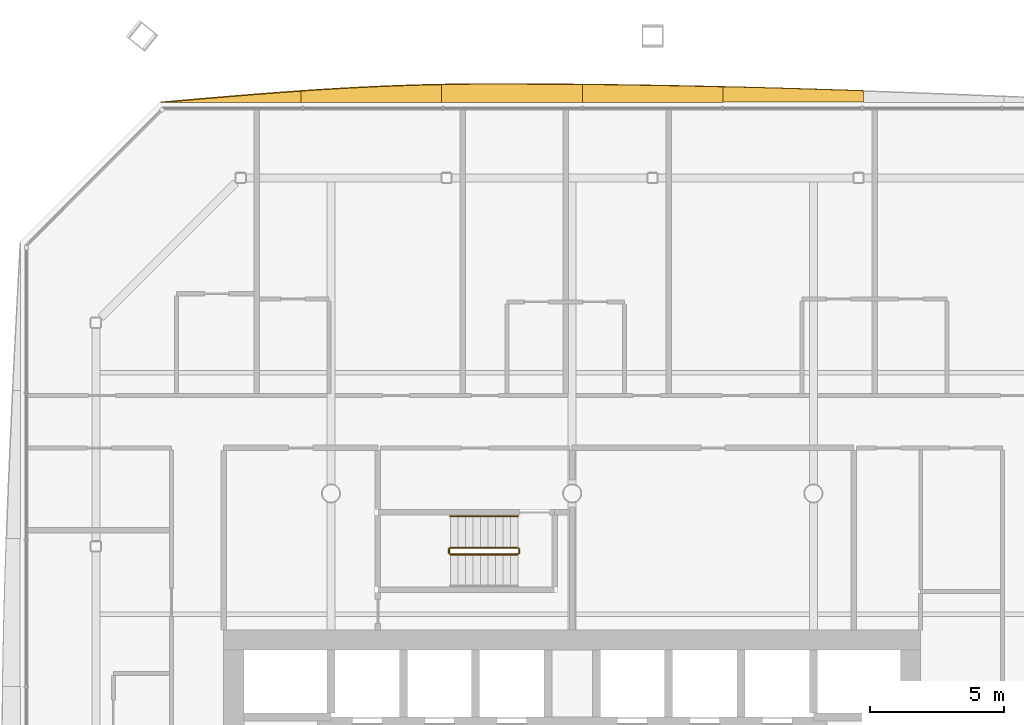
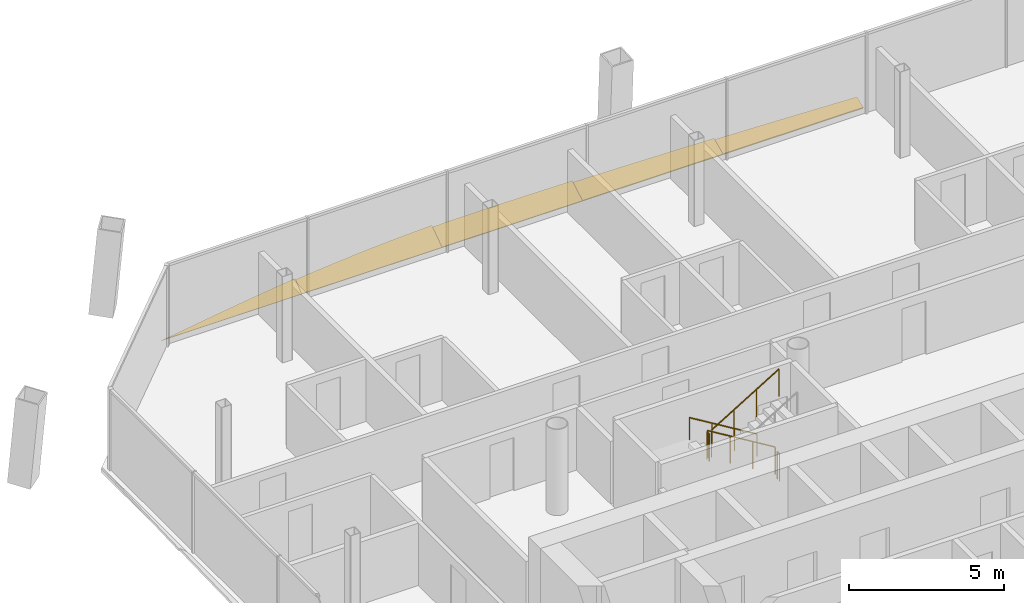
# One storey, part 20 of 21: 5 railings, 5 shading devices.
"""IFC4 building model written with IfcOpenShell, lengths in metres."""

from ifc_helpers import new_model, si_unit, direction, frame, origin, origin_2d, place, context, subcontext, project, spatial, polyline, circle, outline, extrude, material, layer, layer_set, type_object, element, save


model = new_model("IFC4")

# Units and contexts
model_context = context("Model", 3, precision=1e-05, world=origin(), true_north=direction((0.0, 1.0)))
body_context = subcontext(model_context, "Body", "Model", "MODEL_VIEW")
ifc_project = project(units=[si_unit("LENGTHUNIT", "METRE"), si_unit("AREAUNIT", "SQUARE_METRE"), si_unit("VOLUMEUNIT", "CUBIC_METRE"), si_unit("PLANEANGLEUNIT", "RADIAN"), si_unit("MASSUNIT", "GRAM", prefix="KILO")], contexts=[model_context])

# Site, building, storey
site_placement = place(None, origin())
site = spatial("IfcSite", under=ifc_project, at=site_placement, CompositionType="ELEMENT")
building_placement = place(site_placement, origin())
building = spatial("IfcBuilding", under=site, at=building_placement, Name="Tskaro Facet Tower", CompositionType="ELEMENT")
storey_placement = place(building_placement, frame((0.0, 0.0, 128.300048828125)))
storey = spatial("IfcBuildingStorey", under=building, at=storey_placement, Name="L30", CompositionType="ELEMENT", Elevation=128.300048828125)

# Shading devices
ifc_material_1 = material(Name="Bronze anodised aluminium 6063-T6", Category="aluminium")
ifc_layer = layer(ifc_material_1, 0.06005859375, Name="Bronze anodised aluminium 6063-T6")
ifc_layer_set = layer_set([ifc_layer], Name="Bronze anodised aluminium 6063-T6")
shading_device_type = type_object("IfcShadingDeviceType", Name="Bronze sun blade (FN1)", PredefinedType="USERDEFINED", material=ifc_layer_set)
shading_device_1_placement = place(storey_placement, frame((10.8671875, 23.596435546875, 0.056396484375), z_axis=(-1.0231078e-05, -0.341891358925, 0.939739484425), x_axis=(-0.999999999948, 3.497917e-06, -9.614548e-06)))
element("IfcShadingDevice", 1, at=shading_device_1_placement, inside=storey, type_object=shading_device_type, Name="Fin blade north 3", ObjectType="FIN", PredefinedType="USERDEFINED", context=body_context, shape_type="SweptSolid", body=[
    extrude(outline(polyline([(0.0, 0.0), (5.244873046600497, 2.2212901374345867e-21), (5.2448730475924, -0.6143824339533223), (4.495605468834986, -0.5949216116810964), (3.74633789135624, -0.5743761359284547), (2.997070313448196, -0.5522871495252437), (2.2478027336175357, -0.5289675506265944), (1.498535155065544, -0.5045632982475293), (0.7492675769382371, -0.47884496380297165), (8.959908288415651e-11, -0.45204197587799816), (0.0, 0.0)])), origin(), (0.0, 0.0, -1.0), 0.06005859375),
])
shading_device_2_placement = place(storey_placement, frame((5.622314453125, 23.591552734375, 0.054443359375), z_axis=(3.638664e-06, -0.422463156066, 0.906380097836), x_axis=(-0.999999999993, -1.537202e-06, 3.298013e-06)))
element("IfcShadingDevice", 2, at=shading_device_2_placement, inside=storey, type_object=shading_device_type, Name="Fin blade north 4", ObjectType="FIN", PredefinedType="USERDEFINED", context=body_context, shape_type="SweptSolid", body=[
    extrude(outline(polyline([(0.0, 0.0), (5.244628906215281, 0.0), (5.244628906118117, -0.7339877868230714), (4.495361327875188, -0.7248138771981361), (3.7460937498983693, -0.7143272657174029), (2.9968261721330665, -0.7019822435547601), (2.247802734828985, -0.6880000949137826), (1.4985351563608353, -0.6726021039980449), (0.7492675777289093, -0.6555669866039723), (-2.6161451997828833e-10, -0.6369978831505272), (0.0, 0.0)])), origin(), (0.0, 0.0, -1.0), 0.06005859375),
])
shading_device_3_placement = place(storey_placement, frame((0.377685546875, 23.5869140625, 0.052001953125), z_axis=(2.52342e-06, -0.499835798322, 0.866120184911), x_axis=(-0.999999999997, -1.261295e-06, 2.185585e-06)))
element("IfcShadingDevice", 3, at=shading_device_3_placement, inside=storey, type_object=shading_device_type, Name="Fin blade north 5", ObjectType="FIN", PredefinedType="USERDEFINED", context=body_context, shape_type="SweptSolid", body=[
    extrude(outline(polyline([(0.0, 0.0), (5.244873046858301, 0.0), (5.244873046604211, -0.7694700896418254), (4.4956054690315215, -0.782280386242371), (3.7463378906197273, -0.7878518211739689), (3.5456542970960223, -0.7881853065214388), (2.9970703124971125, -0.7878518211739689), (2.247802734170016, -0.7855500290668098), (1.4985351563976832, -0.7814019604241612), (0.7492675780306579, -0.7757084952683633), (-3.1519319666535227e-10, -0.768046723352876), (0.0, 0.0)])), origin(), (0.0, 0.0, -1.0), 0.06005859375),
])
shading_device_4_placement = place(storey_placement, frame((-4.8671875, 23.58251953125, 0.049072265625), z_axis=(-2.990592e-06, -0.573519722063, 0.81919175313), x_axis=(-0.999999999996, 1.715163e-06, -2.449868e-06)))
element("IfcShadingDevice", 4, at=shading_device_4_placement, inside=storey, type_object=shading_device_type, Name="Fin blade north 6", ObjectType="FIN", PredefinedType="USERDEFINED", context=body_context, shape_type="SweptSolid", body=[
    extrude(outline(polyline([(0.0, 0.0), (5.244873046851546, 0.0), (5.244873046542043, -0.5213203212306401), (4.4956054690909895, -0.5816626568501061), (3.746337890861203, -0.6365247971633411), (2.9970703126301683, -0.6854267052569505), (2.2478027341585154, -0.7278283656943296), (1.4985351560443565, -0.7635897590120836), (0.749267578048322, -0.7921708697736077), (-2.483291582165354e-10, -0.8133716999922973), (0.0, 0.0)])), origin(), (0.0, 0.0, -1.0), 0.06005859375),
])
shading_device_5_placement = place(storey_placement, frame((-10.112060546875, 23.578369140625, 0.0458984375), z_axis=(-3.2056114e-05, -0.642662427647, 0.766149465224), x_axis=(-0.999999999486, 2.060126e-05, -2.4559775e-05)))
element("IfcShadingDevice", 5, at=shading_device_5_placement, inside=storey, type_object=shading_device_type, Name="Fin blade north 7", ObjectType="FIN", PredefinedType="USERDEFINED", context=body_context, shape_type="SweptSolid", body=[
    extrude(outline(polyline([(0.0, 0.0), (5.244873044180199, 0.0), (4.495605469328636, -0.08596241807608765), (3.746337891380336, -0.1710498915103765), (2.997070312268169, -0.2545745238704471), (2.247802728895398, -0.3356613705145006), (1.4985351542205352, -0.41365268321266685), (0.7492675791508057, -0.4878304173299772), (-5.406565703096612e-09, -0.5574765282314631), (0.0, 0.0)])), origin(), (0.0, 0.0, -1.0), 0.06005859375),
])

# Railings
ifc_material_2 = material(Name="Stainless steel", Category="steel")
railing_type_1 = type_object("IfcRailingType", Name="RL-GUARD-1100", PredefinedType="GUARDRAIL", material=ifc_material_2)
railing_1_placement = place(storey_placement, frame((-2.02490234375, 6.97509765625, 0.169921875)))
element("IfcRailing", 6, at=railing_1_placement, inside=storey, type_object=railing_type_1, Name="L30 ST-3 stair guard 1", PredefinedType="GUARDRAIL", context=body_context, shape_type="SweptSolid", body=[
    extrude(circle(Radius=0.02392578125, at=origin_2d()), frame((0.0, 0.0, 1.076171875), z_axis=(-0.85478489116, 0.0, 0.518982456201), x_axis=(0.0, -1.0, 0.0)), (0.0, 0.0, 1.0), 2.9482421875),
    extrude(circle(Radius=0.02099609375, at=origin_2d()), origin(), (0.0, 0.0, 1.0), 1.052001953125),
    extrude(circle(Radius=0.02099609375, at=origin_2d()), frame((-0.840087890625, 0.0, 0.510009765625)), (0.0, 0.0, 1.0), 1.052001953125),
    extrude(circle(Radius=0.02099609375, at=origin_2d()), frame((-1.679931640625, 0.0, 1.02001953125)), (0.0, 0.0, 1.0), 1.052001953125),
    extrude(circle(Radius=0.02099609375, at=origin_2d()), frame((-2.52001953125, 0.0, 1.530029296875)), (0.0, 0.0, 1.0), 1.052001953125),
])
railing_2_placement = place(storey_placement, frame((-4.594970703125, 6.925048828125, 1.699951171875)))
element("IfcRailing", 7, at=railing_2_placement, inside=storey, type_object=railing_type_1, Name="L30 ST-3 stair guard 2", PredefinedType="GUARDRAIL", context=body_context, shape_type="SweptSolid", body=[
    extrude(circle(Radius=0.02392578125, at=origin_2d()), frame((0.0, 0.0, 1.076171875), z_axis=(0.0, -1.0, 0.0), x_axis=(1.0, 0.0, 0.0)), (0.0, 0.0, 1.0), 0.150146484375),
    extrude(circle(Radius=0.02099609375, at=origin_2d()), origin(), (0.0, 0.0, 1.0), 1.052001953125),
    extrude(circle(Radius=0.02099609375, at=origin_2d()), frame((0.0, -0.150146484375, 0.0)), (0.0, 0.0, 1.0), 1.052001953125),
])
railing_3_placement = place(storey_placement, frame((-4.544921875, 6.72509765625, 1.869873046875)))
element("IfcRailing", 8, at=railing_3_placement, inside=storey, type_object=railing_type_1, Name="L30 ST-3 stair guard 3", PredefinedType="GUARDRAIL", context=body_context, shape_type="SweptSolid", body=[
    extrude(circle(Radius=0.02392578125, at=origin_2d()), frame((0.0, 0.0, 1.076171875), z_axis=(0.85478489116, 0.0, 0.518982456201), x_axis=(0.0, 1.0, 0.0)), (0.0, 0.0, 1.0), 2.9482421875),
    extrude(circle(Radius=0.02099609375, at=origin_2d()), origin(), (0.0, 0.0, 1.0), 1.052001953125),
    extrude(circle(Radius=0.02099609375, at=origin_2d()), frame((0.840087890625, 0.0, 0.510009765625)), (0.0, 0.0, 1.0), 1.052001953125),
    extrude(circle(Radius=0.02099609375, at=origin_2d()), frame((1.679931640625, 0.0, 1.02001953125)), (0.0, 0.0, 1.0), 1.052001953125),
    extrude(circle(Radius=0.02099609375, at=origin_2d()), frame((2.52001953125, 0.0, 1.530029296875)), (0.0, 0.0, 1.0), 1.052001953125),
])
railing_4_placement = place(storey_placement, frame((-1.97509765625, 6.925048828125, 0.0)))
element("IfcRailing", 9, at=railing_4_placement, inside=storey, type_object=railing_type_1, Name="L30 ST-3 stair guard 4", PredefinedType="GUARDRAIL", context=body_context, shape_type="SweptSolid", body=[
    extrude(circle(Radius=0.02392578125, at=origin_2d()), frame((0.0, 0.0, 1.076171875), z_axis=(0.0, -1.0, 0.0), x_axis=(1.0, 0.0, 0.0)), (0.0, 0.0, 1.0), 0.150146484375),
    extrude(circle(Radius=0.02099609375, at=origin_2d()), origin(), (0.0, 0.0, 1.0), 1.052001953125),
    extrude(circle(Radius=0.02099609375, at=origin_2d()), frame((0.0, -0.150146484375, 0.0)), (0.0, 0.0, 1.0), 1.052001953125),
])
railing_type_2 = type_object("IfcRailingType", Name="RL-HANDRAIL-900", PredefinedType="HANDRAIL", material=ifc_material_2)
railing_5_placement = place(storey_placement, frame((-2.02490234375, 8.14990234375, 0.169921875)))
element("IfcRailing", 10, at=railing_5_placement, inside=storey, type_object=railing_type_2, Name="L30 ST-3 stair handrail 1", PredefinedType="HANDRAIL", context=body_context, shape_type="SweptSolid", body=[
    extrude(circle(Radius=0.02392578125, at=origin_2d()), frame((0.0, 0.0, 0.8759765625), z_axis=(-0.85478489116, 0.0, 0.518982456201), x_axis=(0.0, -1.0, 0.0)), (0.0, 0.0, 1.0), 2.9482421875),
    extrude(circle(Radius=0.02099609375, at=origin_2d()), origin(), (0.0, 0.0, 1.0), 0.851806640625),
    extrude(circle(Radius=0.02099609375, at=origin_2d()), frame((-0.840087890625, 0.0, 0.510009765625)), (0.0, 0.0, 1.0), 0.851806640625),
    extrude(circle(Radius=0.02099609375, at=origin_2d()), frame((-1.679931640625, 0.0, 1.02001953125)), (0.0, 0.0, 1.0), 0.851806640625),
    extrude(circle(Radius=0.02099609375, at=origin_2d()), frame((-2.52001953125, 0.0, 1.530029296875)), (0.0, 0.0, 1.0), 0.851806640625),
])

save(model, "model.ifc")
